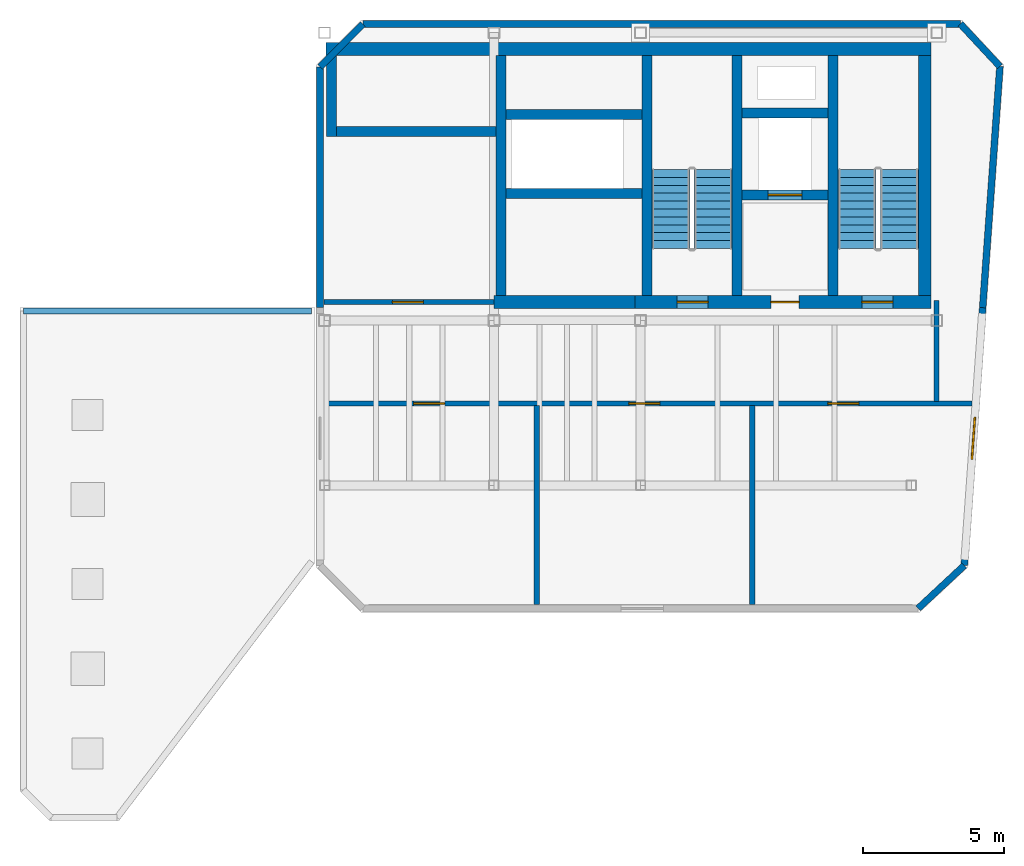
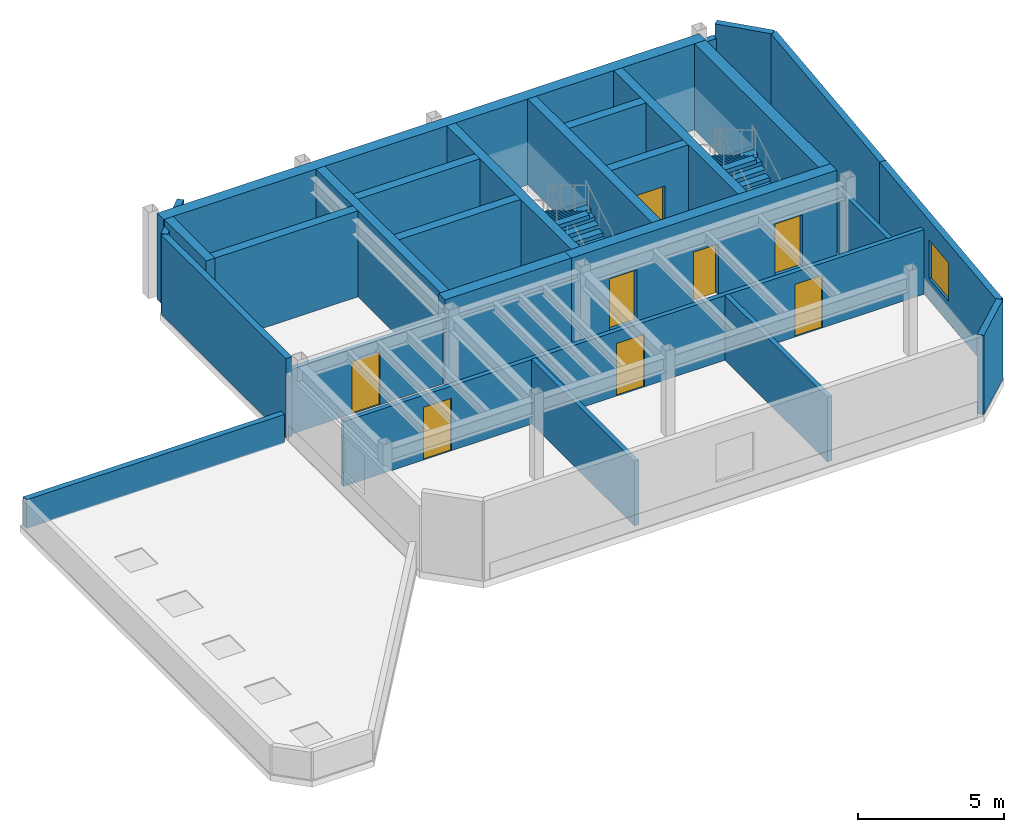
# One storey, part 2 of 4: 27 walls, 8 doors, 4 stair flights, 1 window, 9 openings, 2 elements without a shape of their own.
"""IFC4 building model written with IfcOpenShell, lengths in metres."""

from ifc_helpers import new_model, si_unit, direction, frame, frame_2d, origin, place, context, subcontext, project, spatial, polyline, rectangle, outline, extrude, material, layer, layer_set, type_object, element, fill, aggregate, save


model = new_model("IFC4")

# Units and contexts
model_context = context("Model", 3, precision=1e-05, world=origin(), true_north=direction((0.0, 1.0)))
body_context = subcontext(model_context, "Body", "Model", "MODEL_VIEW")
ifc_project = project(units=[si_unit("LENGTHUNIT", "METRE"), si_unit("AREAUNIT", "SQUARE_METRE"), si_unit("VOLUMEUNIT", "CUBIC_METRE"), si_unit("PLANEANGLEUNIT", "RADIAN"), si_unit("MASSUNIT", "GRAM", prefix="KILO")], contexts=[model_context])

# Site, building, storey
site_placement = place(None, origin())
site = spatial("IfcSite", under=ifc_project, at=site_placement, CompositionType="ELEMENT")
building_placement = place(site_placement, origin())
building = spatial("IfcBuilding", under=site, at=building_placement, Name="Kravanh Interchange Tower", CompositionType="ELEMENT")
storey_placement = place(building_placement, frame((0.0, 0.0, 315.60009765625)))
storey = spatial("IfcBuildingStorey", under=building, at=storey_placement, Name="L78", CompositionType="ELEMENT", Elevation=315.60009765625)

# Walls
ifc_material_1 = material(Name="Concrete C60/75", Category="concrete")
ifc_layer_1 = layer(ifc_material_1, 0.35009765625)
ifc_layer_set_1 = layer_set([ifc_layer_1], Name="Core Shear Wall Concrete C60/75 350mm")
wall_type_1 = type_object("IfcWallType", Name="Core Shear Wall Concrete C60/75 350mm", PredefinedType="SHEAR", material=ifc_layer_set_1)
for number, where, z_axis, x_axis, name in (
    (1, (62.824951171875, 38.22509765625, 0.0), (0.0, 0.0, 1.0), (0.0, 1.0, 0.0), "L78 Stair ST1 West Shear Wall"),
    (2, (59.425048828125, 38.22509765625, 0.0), (0.0, 0.0, 1.0), (0.0, 1.0, 0.0), "L78 Stair ST2 East Shear Wall"),
    (3, (56.22509765625, 38.22509765625, 0.0), (0.0, 0.0, 1.0), (0.0, 1.0, 0.0), "L78 Stair ST2 West Shear Wall"),
):
    element("IfcWall", number, at=place(storey_placement, frame(where, z_axis=z_axis, x_axis=x_axis)), inside=storey, type_object=wall_type_1, Name=name, PredefinedType="SHEAR", context=body_context, shape_type="SweptSolid", body=[
        extrude(rectangle(XDim=8.52490234375, YDim=0.35009765625, at=frame_2d((4.262451171875, 0.0))), origin(), (0.0, 0.0, 1.0), 3.599853515625),
    ])

# Wall, opening, door
wall_1_placement = place(storey_placement, frame((59.60009765625, 41.800048828125, 0.0), z_axis=(0.0, 0.0, 1.0), x_axis=(1.0, 0.0, 0.0)))
wall_1 = element("IfcWall", 4, at=wall_1_placement, inside=storey, type_object=wall_type_1, Name="L78 Service Lift Shaft South Wall", PredefinedType="SHEAR", context=body_context, shape_type="SweptSolid", body=[
    extrude(rectangle(XDim=3.0498046875, YDim=0.35009765625, at=frame_2d((1.52490234375, 0.0))), origin(), (0.0, 0.0, 1.0), 3.599853515625),
])
opening_1_placement = place(wall_1_placement, frame((0.919921875, 0.0, 0.0)))
opening_1 = element("IfcOpeningElement", 5, at=opening_1_placement, cuts=wall_1, Name="Opening LD02", PredefinedType="OPENING", context=body_context, shape_type="SweptSolid", body=[
    extrude(rectangle(XDim=1.199951171875, YDim=2.199951171875, at=frame_2d((0.60009765625, 1.10009765625))), frame((0.0, 0.18505859375, 0.0), z_axis=(0.0, -1.0, 0.0), x_axis=(1.0, 0.0, 0.0)), (0.0, 0.0, 1.0), 0.3701171875),
])
ifc_material_2 = material(Name="Stainless Steel 316", Category="steel")
door_type_1 = type_object("IfcDoorType", Name="Fire and Service Lift Sliding Landing Door 1200x2200", OperationType="DOUBLE_DOOR_SLIDING", PredefinedType="DOOR", material=ifc_material_2)
door_1_placement = place(opening_1_placement, origin())
door_1 = element("IfcDoor", 6, at=door_1_placement, inside=storey, type_object=door_type_1, Name="L78 Lift LS-01 Landing Door", OperationType="DOUBLE_DOOR_SLIDING", OverallHeight=2.199951171875, OverallWidth=1.199951171875, PredefinedType="DOOR", context=body_context, shape_type="SweptSolid", body=[
    extrude(rectangle(XDim=1.199951171875, YDim=2.199951171875, at=frame_2d((0.60009765625, 1.10009765625))), frame((0.0, 0.02490234375, 0.0), z_axis=(0.0, -1.0, 0.0), x_axis=(1.0, 0.0, 0.0)), (0.0, 0.0, 1.0), 0.050048828125),
])
fill(opening_1, door_1)

# Walls
wall_2_placement = place(storey_placement, frame((59.60009765625, 44.699951171875, 0.0), z_axis=(0.0, 0.0, 1.0), x_axis=(1.0, 0.0, 0.0)))
element("IfcWall", 7, at=wall_2_placement, inside=storey, type_object=wall_type_1, Name="L78 Service Lift Shaft North Wall", PredefinedType="SHEAR", context=body_context, shape_type="SweptSolid", body=[
    extrude(rectangle(XDim=3.0498046875, YDim=0.35009765625, at=frame_2d((1.52490234375, 0.0))), origin(), (0.0, 0.0, 1.0), 3.599853515625),
])
for number, where, z_axis, x_axis, name in (
    (8, (51.22509765625, 41.85009765625, 0.0), (0.0, 0.0, 1.0), (1.0, 0.0, 0.0), "L78 Fire Lift Shaft South Wall"),
    (9, (51.22509765625, 44.64990234375, 0.0), (0.0, 0.0, 1.0), (1.0, 0.0, 0.0), "L78 Fire Lift Shaft North Wall"),
):
    element("IfcWall", number, at=place(storey_placement, frame(where, z_axis=z_axis, x_axis=x_axis)), inside=storey, type_object=wall_type_1, Name=name, PredefinedType="SHEAR", context=body_context, shape_type="SweptSolid", body=[
        extrude(rectangle(XDim=4.824951171875, YDim=0.35009765625, at=frame_2d((2.41259765625, 0.0))), origin(), (0.0, 0.0, 1.0), 3.599853515625),
    ])
wall_3_placement = place(storey_placement, frame((51.050048828125, 38.22509765625, 0.0), z_axis=(0.0, 0.0, 1.0), x_axis=(0.0, 1.0, 0.0)))
element("IfcWall", 10, at=wall_3_placement, inside=storey, type_object=wall_type_1, Name="L78 Firefighting Lobby West Wall", PredefinedType="SHEAR", context=body_context, shape_type="SweptSolid", body=[
    extrude(rectangle(XDim=8.52490234375, YDim=0.35009765625, at=frame_2d((4.262451171875, 0.0))), origin(), (0.0, 0.0, 1.0), 3.599853515625),
])
wall_4_placement = place(storey_placement, frame((45.22509765625, 44.050048828125, 0.0), z_axis=(0.0, 0.0, 1.0), x_axis=(1.0, 0.0, 0.0)))
element("IfcWall", 11, at=wall_4_placement, inside=storey, type_object=wall_type_1, Name="L78 High-Rise Lift Shaft South Wall", PredefinedType="SHEAR", context=body_context, shape_type="SweptSolid", body=[
    extrude(rectangle(XDim=5.64990234375, YDim=0.35009765625, at=frame_2d((2.824951171875, 0.0))), origin(), (0.0, 0.0, 1.0), 3.599853515625),
])
wall_5_placement = place(storey_placement, frame((45.050048828125, 43.875, 0.0), z_axis=(0.0, 0.0, 1.0), x_axis=(0.0, 1.0, 0.0)))
element("IfcWall", 12, at=wall_5_placement, inside=storey, type_object=wall_type_1, Name="L78 High-Rise Lift Shaft West Wall", PredefinedType="SHEAR", context=body_context, shape_type="SweptSolid", body=[
    extrude(rectangle(XDim=2.875, YDim=0.35009765625, at=frame_2d((1.4375, 0.0))), origin(), (0.0, 0.0, 1.0), 3.599853515625),
])
ifc_material_3 = material(Name="Concrete C60/75", Category="concrete")
ifc_layer_2 = layer(ifc_material_3, 0.449951171875)
ifc_layer_set_2 = layer_set([ifc_layer_2], Name="Core Shear Wall Concrete C60/75 450mm")
wall_type_2 = type_object("IfcWallType", Name="Core Shear Wall Concrete C60/75 450mm", PredefinedType="SHEAR", material=ifc_layer_set_2)
wall_6_placement = place(storey_placement, frame((44.85009765625, 46.97509765625, 0.0), z_axis=(0.0, 0.0, 1.0), x_axis=(1.0, 0.0, 0.0)))
element("IfcWall", 13, at=wall_6_placement, inside=storey, type_object=wall_type_2, Name="L78 North Core Shear Wall", PredefinedType="SHEAR", context=body_context, shape_type="SweptSolid", body=[
    extrude(rectangle(XDim=21.449951171875, YDim=0.449951171875, at=frame_2d((10.72509765625, 0.0))), origin(), (0.0, 0.0, 1.0), 3.599853515625),
])

# Wall, openings, doors
wall_7_placement = place(storey_placement, frame((55.800048828125, 38.0, 0.0), z_axis=(0.0, 0.0, 1.0), x_axis=(1.0, 0.0, 0.0)))
wall_7 = element("IfcWall", 14, at=wall_7_placement, inside=storey, type_object=wall_type_2, Name="L78 East Core South Shear Wall", PredefinedType="SHEAR", context=body_context, shape_type="SweptSolid", body=[
    extrude(rectangle(XDim=10.5, YDim=0.449951171875, at=frame_2d((5.25, 0.0))), origin(), (0.0, 0.0, 1.0), 3.599853515625),
])
opening_2_placement = place(wall_7_placement, frame((1.5, 0.0, 0.0)))
opening_2 = element("IfcOpeningElement", 15, at=opening_2_placement, cuts=wall_7, Name="Opening D-STAIR-110", PredefinedType="OPENING", context=body_context, shape_type="SweptSolid", body=[
    extrude(rectangle(XDim=1.10009765625, YDim=2.199951171875, at=frame_2d((0.550048828125, 1.10009765625))), frame((0.0, 0.23486328125, 0.0), z_axis=(0.0, -1.0, 0.0), x_axis=(1.0, 0.0, 0.0)), (0.0, 0.0, 1.0), 0.469970703125),
])
opening_3_placement = place(wall_7_placement, frame((4.820068359375, 0.0, 0.0)))
opening_3 = element("IfcOpeningElement", 16, at=opening_3_placement, cuts=wall_7, Name="Opening D-HOTEL-100", PredefinedType="OPENING", context=body_context, shape_type="SweptSolid", body=[
    extrude(rectangle(XDim=1.0, YDim=2.14990234375, at=frame_2d((0.5, 1.074951171875))), frame((0.0, 0.23486328125, 0.0), z_axis=(0.0, -1.0, 0.0), x_axis=(1.0, 0.0, 0.0)), (0.0, 0.0, 1.0), 0.469970703125),
])
opening_4_placement = place(wall_7_placement, frame((8.050048828125, 0.0, 0.0)))
opening_4 = element("IfcOpeningElement", 17, at=opening_4_placement, cuts=wall_7, Name="Opening D-STAIR-110", PredefinedType="OPENING", context=body_context, shape_type="SweptSolid", body=[
    extrude(rectangle(XDim=1.10009765625, YDim=2.199951171875, at=frame_2d((0.550048828125, 1.10009765625))), frame((0.0, 0.23486328125, 0.0), z_axis=(0.0, -1.0, 0.0), x_axis=(1.0, 0.0, 0.0)), (0.0, 0.0, 1.0), 0.469970703125),
])
ifc_material_4 = material(Name="Structural Steel S355", Category="steel")
door_type_2 = type_object("IfcDoorType", Name="Fire-Rated Exit Stair Door 1100x2200", OperationType="NOTDEFINED", PredefinedType="DOOR", material=ifc_material_4)
door_2_placement = place(opening_2_placement, origin())
door_2 = element("IfcDoor", 18, at=door_2_placement, inside=storey, type_object=door_type_2, Name="L78 Exit Stair ST2 Door", OperationType="SINGLE_SWING_RIGHT", OverallHeight=2.199951171875, OverallWidth=1.10009765625, PredefinedType="DOOR", context=body_context, shape_type="SweptSolid", body=[
    extrude(rectangle(XDim=1.10009765625, YDim=2.199951171875, at=frame_2d((0.550048828125, 1.10009765625))), frame((0.0, 0.02490234375, 0.0), z_axis=(0.0, -1.0, 0.0), x_axis=(1.0, 0.0, 0.0)), (0.0, 0.0, 1.0), 0.050048828125),
])
fill(opening_2, door_2)
door_3_placement = place(opening_4_placement, origin())
door_3 = element("IfcDoor", 19, at=door_3_placement, inside=storey, type_object=door_type_2, Name="L78 Exit Stair ST1 Door", OperationType="SINGLE_SWING_RIGHT", OverallHeight=2.199951171875, OverallWidth=1.10009765625, PredefinedType="DOOR", context=body_context, shape_type="SweptSolid", body=[
    extrude(rectangle(XDim=1.10009765625, YDim=2.199951171875, at=frame_2d((0.550048828125, 1.10009765625))), frame((0.0, 0.02490234375, 0.0), z_axis=(0.0, -1.0, 0.0), x_axis=(1.0, 0.0, 0.0)), (0.0, 0.0, 1.0), 0.050048828125),
])
fill(opening_4, door_3)
ifc_material_5 = material(Name="Fire-Rated Solid Timber Leaf", Category="wood")
door_type_3 = type_object("IfcDoorType", Name="Fire-Rated Suite Entrance Door 1000x2150", OperationType="NOTDEFINED", PredefinedType="DOOR", material=ifc_material_5)
door_4_placement = place(opening_3_placement, origin())
door_4 = element("IfcDoor", 20, at=door_4_placement, inside=storey, type_object=door_type_3, Name="L78 Service Lift Lobby Door", OperationType="SINGLE_SWING_RIGHT", OverallHeight=2.14990234375, OverallWidth=1.0, PredefinedType="DOOR", context=body_context, shape_type="SweptSolid", body=[
    extrude(rectangle(XDim=1.0, YDim=2.14990234375, at=frame_2d((0.5, 1.074951171875))), frame((0.0, 0.02490234375, 0.0), z_axis=(0.0, -1.0, 0.0), x_axis=(1.0, 0.0, 0.0)), (0.0, 0.0, 1.0), 0.050048828125),
])
fill(opening_3, door_4)

# Walls
wall_8_placement = place(storey_placement, frame((66.074951171875, 38.22509765625, 0.0), z_axis=(0.0, 0.0, 1.0), x_axis=(0.0, 1.0, 0.0)))
element("IfcWall", 21, at=wall_8_placement, inside=storey, type_object=wall_type_2, Name="L78 Stair ST1 East Shear Wall", PredefinedType="SHEAR", context=body_context, shape_type="SweptSolid", body=[
    extrude(rectangle(XDim=8.52490234375, YDim=0.449951171875, at=frame_2d((4.262451171875, 0.0))), origin(), (0.0, 0.0, 1.0), 3.599853515625),
])
wall_9_placement = place(storey_placement, frame((50.800048828125, 38.0, 0.0), z_axis=(0.0, 0.0, 1.0), x_axis=(1.0, 0.0, 0.0)))
element("IfcWall", 22, at=wall_9_placement, inside=storey, type_object=wall_type_2, Name="L78 Firefighting Lobby South Shear Wall", PredefinedType="SHEAR", context=body_context, shape_type="SweptSolid", body=[
    extrude(rectangle(XDim=5.0, YDim=0.449951171875, at=frame_2d((2.5, 0.0))), origin(), (0.0, 0.0, 1.0), 3.599853515625),
])
ifc_material_6 = material(Name="Insulated Concrete C40/50 with Bronze Rainscreen", Category="concrete")
ifc_layer_3 = layer(ifc_material_6, 0.239990234375)
ifc_layer_set_3 = layer_set([ifc_layer_3], Name="Exterior Insulated Concrete C40/50 Crown Enclosure Wall 240mm")
wall_type_3 = type_object("IfcWallType", Name="Exterior Insulated Concrete C40/50 Crown Enclosure Wall 240mm", PredefinedType="STANDARD", material=ifc_layer_set_3)
wall_10_placement = place(storey_placement, frame((44.639892578125, 37.800048828125, 0.0), z_axis=(0.0, 0.0, 1.0), x_axis=(0.0, 1.0, 0.0)))
element("IfcWall", 23, at=wall_10_placement, inside=storey, type_object=wall_type_3, Name="L78 Exterior Enclosure Wall 2", PredefinedType="STANDARD", context=body_context, shape_type="SweptSolid", body=[
    extrude(rectangle(XDim=8.5419921875, YDim=0.239990234375, at=frame_2d((4.27099609375, 0.0))), origin(), (0.0, 0.0, 1.0), 3.31982421875),
])
wall_11_placement = place(storey_placement, frame((44.639892578125, 46.342041015625, 0.0), z_axis=(0.0, 0.0, 1.0), x_axis=(0.707106781187, 0.707106781187, 0.0)))
element("IfcWall", 24, at=wall_11_placement, inside=storey, type_object=wall_type_3, Name="L78 Exterior Enclosure Wall 3", PredefinedType="STANDARD", context=body_context, shape_type="SweptSolid", body=[
    extrude(rectangle(XDim=2.14697265625, YDim=0.239990234375, at=frame_2d((1.073486328125, 0.0))), origin(), (0.0, 0.0, 1.0), 3.31982421875),
])
wall_12_placement = place(storey_placement, frame((46.157958984375, 47.860107421875, 0.0), z_axis=(0.0, 0.0, 1.0), x_axis=(1.0, 0.0, 0.0)))
element("IfcWall", 25, at=wall_12_placement, inside=storey, type_object=wall_type_3, Name="L78 Exterior Enclosure Wall 4", PredefinedType="STANDARD", context=body_context, shape_type="SweptSolid", body=[
    extrude(rectangle(XDim=21.18115234375, YDim=0.239990234375, at=frame_2d((10.590576171875, 0.0))), origin(), (0.0, 0.0, 1.0), 2.708984375),
])
wall_13_placement = place(storey_placement, frame((67.339111328125, 47.860107421875, 0.0), z_axis=(0.0, 0.0, 1.0), x_axis=(0.681396623146, -0.731914367918, 0.0)))
element("IfcWall", 26, at=wall_13_placement, inside=storey, type_object=wall_type_3, Name="L78 Exterior Enclosure Wall 5", PredefinedType="STANDARD", context=body_context, shape_type="SweptSolid", body=[
    extrude(rectangle(XDim=2.058837890625, YDim=0.239990234375, at=frame_2d((1.029296875, 0.0))), origin(), (0.0, 0.0, 1.0), 3.31982421875),
])
wall_14_placement = place(storey_placement, frame((68.741943359375, 46.353271484375, 0.0), z_axis=(0.0, 0.0, 1.0), x_axis=(-0.071234909984, -0.9974595669, 0.0)))
element("IfcWall", 27, at=wall_14_placement, inside=storey, type_object=wall_type_3, Name="L78 Exterior Enclosure Wall 6", PredefinedType="STANDARD", context=body_context, shape_type="SweptSolid", body=[
    extrude(rectangle(XDim=8.574951171875, YDim=0.239990234375, at=frame_2d((4.28759765625, 0.0))), origin(), (0.0, 0.0, 1.0), 3.31982421875),
])

# Wall, opening, window
wall_15_placement = place(storey_placement, frame((68.131103515625, 37.800048828125, 0.0), z_axis=(0.0, 0.0, 1.0), x_axis=(-0.071250837206, -0.997458429308, 0.0)))
wall_15 = element("IfcWall", 28, at=wall_15_placement, inside=storey, type_object=wall_type_3, Name="L78 Exterior Enclosure Wall 7", PredefinedType="STANDARD", context=body_context, shape_type="SweptSolid", body=[
    extrude(rectangle(XDim=9.162353515625, YDim=0.239990234375, at=frame_2d((4.5810546875, 0.0))), origin(), (0.0, 0.0, 1.0), 3.31982421875),
])
opening_5_placement = place(wall_15_placement, frame((3.891845703125, 0.0, 0.89990234375)))
opening_5 = element("IfcOpeningElement", 29, at=opening_5_placement, cuts=wall_15, Name="Opening WN-150X160", PredefinedType="OPENING", context=body_context, shape_type="SweptSolid", body=[
    extrude(rectangle(XDim=1.5, YDim=1.60009765625, at=frame_2d((0.75, 0.800048828125))), frame((0.0, 0.1298828125, 0.0), z_axis=(0.0, -1.0, 0.0), x_axis=(1.0, 0.0, 0.0)), (0.0, 0.0, 1.0), 0.260009765625),
])
ifc_material_7 = material(Name="Thermally Broken Bronze Aluminium and Low-E Glass", Category="aluminium")
window_type = type_object("IfcWindowType", Name="Crown Clerestory Window 1500x1600", PartitioningType="SINGLE_PANEL", PredefinedType="WINDOW", material=ifc_material_7)
window_placement = place(opening_5_placement, origin())
window = element("IfcWindow", 30, at=window_placement, inside=storey, type_object=window_type, Name="L78 Crown Clerestory Window 7", OverallHeight=1.60009765625, OverallWidth=1.5, PartitioningType="SINGLE_PANEL", PredefinedType="WINDOW", context=body_context, shape_type="SweptSolid", body=[
    extrude(rectangle(XDim=1.5, YDim=1.60009765625, at=frame_2d((0.75, 0.800048828125))), frame((0.0, 0.030029296875, 0.0), z_axis=(0.0, -1.0, 0.0), x_axis=(1.0, 0.0, 0.0)), (0.0, 0.0, 1.0), 0.06005859375),
])
fill(opening_5, window)

# Wall
wall_16_placement = place(storey_placement, frame((67.478271484375, 28.660888671875, 0.0), z_axis=(0.0, 0.0, 1.0), x_axis=(-0.731818720836, -0.681499346907, 0.0)))
element("IfcWall", 31, at=wall_16_placement, inside=storey, type_object=wall_type_3, Name="L78 Exterior Enclosure Wall 8", PredefinedType="STANDARD", context=body_context, shape_type="SweptSolid", body=[
    extrude(rectangle(XDim=2.23193359375, YDim=0.239990234375, at=frame_2d((1.115966796875, 0.0))), origin(), (0.0, 0.0, 1.0), 3.31982421875),
])

# Wall, opening, door
ifc_material_8 = material(Name="Autoclaved Aerated Concrete C30/37 Blockwork", Category="masonry")
ifc_layer_4 = layer(ifc_material_8, 0.179931640625)
ifc_layer_set_4 = layer_set([ifc_layer_4], Name="Fire-Rated Lobby and Corridor Wall Concrete C30/37 180mm")
wall_type_4 = type_object("IfcWallType", Name="Fire-Rated Lobby and Corridor Wall Concrete C30/37 180mm", PredefinedType="STANDARD", material=ifc_layer_set_4)
wall_17_placement = place(storey_placement, frame((44.784912109375, 38.0, 0.0), z_axis=(0.0, 0.0, 1.0), x_axis=(1.0, 0.0, 0.0)))
wall_17 = element("IfcWall", 32, at=wall_17_placement, inside=storey, type_object=wall_type_4, Name="L78 Overrun Plant Wall 1", PredefinedType="STANDARD", context=body_context, shape_type="SweptSolid", body=[
    extrude(rectangle(XDim=6.01513671875, YDim=0.179931640625, at=frame_2d((3.007568359375, 0.0))), origin(), (0.0, 0.0, 1.0), 2.708984375),
])
opening_6_placement = place(wall_17_placement, frame((2.4150390625, 0.0, 0.0)))
opening_6 = element("IfcOpeningElement", 33, at=opening_6_placement, cuts=wall_17, Name="Opening D-STAIR-110", PredefinedType="OPENING", context=body_context, shape_type="SweptSolid", body=[
    extrude(rectangle(XDim=1.10009765625, YDim=2.199951171875, at=frame_2d((0.550048828125, 1.10009765625))), frame((0.0, 0.10009765625, 0.0), z_axis=(0.0, -1.0, 0.0), x_axis=(1.0, 0.0, 0.0)), (0.0, 0.0, 1.0), 0.199951171875),
])
door_5_placement = place(opening_6_placement, origin())
door_5 = element("IfcDoor", 34, at=door_5_placement, inside=storey, type_object=door_type_2, Name="L78 Overrun Plant Door", OperationType="SINGLE_SWING_LEFT", OverallHeight=2.199951171875, OverallWidth=1.10009765625, PredefinedType="DOOR", context=body_context, shape_type="SweptSolid", body=[
    extrude(rectangle(XDim=1.10009765625, YDim=2.199951171875, at=frame_2d((0.550048828125, 1.10009765625))), frame((0.0, 0.02490234375, 0.0), z_axis=(0.0, -1.0, 0.0), x_axis=(1.0, 0.0, 0.0)), (0.0, 0.0, 1.0), 0.050048828125),
])
fill(opening_6, door_5)

# Wall, openings, doors
wall_18_placement = place(storey_placement, frame((44.784912109375, 34.39990234375, 0.0), z_axis=(0.0, 0.0, 1.0), x_axis=(1.0, 0.0, 0.0)))
wall_18 = element("IfcWall", 35, at=wall_18_placement, inside=storey, type_object=wall_type_4, Name="L78 Interior Partition 2", PredefinedType="STANDARD", context=body_context, shape_type="SweptSolid", body=[
    extrude(rectangle(XDim=22.9580078125, YDim=0.179931640625, at=frame_2d((11.47900390625, 0.0))), origin(), (0.0, 0.0, 1.0), 2.708984375),
])
opening_7_placement = place(wall_18_placement, frame((3.169921875, 0.0, 0.0)))
opening_7 = element("IfcOpeningElement", 36, at=opening_7_placement, cuts=wall_18, Name="Opening D-STAIR-110", PredefinedType="OPENING", context=body_context, shape_type="SweptSolid", body=[
    extrude(rectangle(XDim=1.10009765625, YDim=2.199951171875, at=frame_2d((0.550048828125, 1.10009765625))), frame((0.0, 0.10009765625, 0.0), z_axis=(0.0, -1.0, 0.0), x_axis=(1.0, 0.0, 0.0)), (0.0, 0.0, 1.0), 0.199951171875),
])
opening_8_placement = place(wall_18_placement, frame((10.804931640625, 0.0, 0.0)))
opening_8 = element("IfcOpeningElement", 37, at=opening_8_placement, cuts=wall_18, Name="Opening D-STAIR-110", PredefinedType="OPENING", context=body_context, shape_type="SweptSolid", body=[
    extrude(rectangle(XDim=1.10009765625, YDim=2.199951171875, at=frame_2d((0.550048828125, 1.10009765625))), frame((0.0, 0.10009765625, 0.0), z_axis=(0.0, -1.0, 0.0), x_axis=(1.0, 0.0, 0.0)), (0.0, 0.0, 1.0), 0.199951171875),
])
opening_9_placement = place(wall_18_placement, frame((17.854736328125, 0.0, 0.0)))
opening_9 = element("IfcOpeningElement", 38, at=opening_9_placement, cuts=wall_18, Name="Opening D-STAIR-110", PredefinedType="OPENING", context=body_context, shape_type="SweptSolid", body=[
    extrude(rectangle(XDim=1.10009765625, YDim=2.199951171875, at=frame_2d((0.550048828125, 1.10009765625))), frame((0.0, 0.10009765625, 0.0), z_axis=(0.0, -1.0, 0.0), x_axis=(1.0, 0.0, 0.0)), (0.0, 0.0, 1.0), 0.199951171875),
])
door_6_placement = place(opening_7_placement, origin())
door_6 = element("IfcDoor", 39, at=door_6_placement, inside=storey, type_object=door_type_2, Name="L78 Plant Room 1 Door", OperationType="SINGLE_SWING_RIGHT", OverallHeight=2.199951171875, OverallWidth=1.10009765625, PredefinedType="DOOR", context=body_context, shape_type="SweptSolid", body=[
    extrude(rectangle(XDim=1.10009765625, YDim=2.199951171875, at=frame_2d((0.550048828125, 1.10009765625))), frame((0.0, 0.02490234375, 0.0), z_axis=(0.0, -1.0, 0.0), x_axis=(1.0, 0.0, 0.0)), (0.0, 0.0, 1.0), 0.050048828125),
])
fill(opening_7, door_6)
door_7_placement = place(opening_8_placement, origin())
door_7 = element("IfcDoor", 40, at=door_7_placement, inside=storey, type_object=door_type_2, Name="L78 Plant Room 2 Door", OperationType="SINGLE_SWING_LEFT", OverallHeight=2.199951171875, OverallWidth=1.10009765625, PredefinedType="DOOR", context=body_context, shape_type="SweptSolid", body=[
    extrude(rectangle(XDim=1.10009765625, YDim=2.199951171875, at=frame_2d((0.550048828125, 1.10009765625))), frame((0.0, 0.02490234375, 0.0), z_axis=(0.0, -1.0, 0.0), x_axis=(1.0, 0.0, 0.0)), (0.0, 0.0, 1.0), 0.050048828125),
])
fill(opening_8, door_7)
door_8_placement = place(opening_9_placement, origin())
door_8 = element("IfcDoor", 41, at=door_8_placement, inside=storey, type_object=door_type_2, Name="L78 Plant Room 3 Door", OperationType="SINGLE_SWING_RIGHT", OverallHeight=2.199951171875, OverallWidth=1.10009765625, PredefinedType="DOOR", context=body_context, shape_type="SweptSolid", body=[
    extrude(rectangle(XDim=1.10009765625, YDim=2.199951171875, at=frame_2d((0.550048828125, 1.10009765625))), frame((0.0, 0.02490234375, 0.0), z_axis=(0.0, -1.0, 0.0), x_axis=(1.0, 0.0, 0.0)), (0.0, 0.0, 1.0), 0.050048828125),
])
fill(opening_9, door_8)

# Walls
wall_19_placement = place(storey_placement, frame((66.5, 34.468017578125, 0.0), z_axis=(0.0, 0.0, 1.0), x_axis=(0.0, 1.0, 0.0)))
element("IfcWall", 42, at=wall_19_placement, inside=storey, type_object=wall_type_4, Name="L78 Interior Partition 3", PredefinedType="STANDARD", context=body_context, shape_type="SweptSolid", body=[
    extrude(rectangle(XDim=3.58203125, YDim=0.179931640625, at=frame_2d((1.791015625, 0.0))), origin(), (0.0, 0.0, 1.0), 2.708984375),
])
for number, where, z_axis, x_axis, name in (
    (43, (52.320068359375, 27.284912109375, 0.0), (0.0, 0.0, 1.0), (0.0, 1.0, 0.0), "L78 Interior Partition 4"),
    (44, (59.9599609375, 27.284912109375, 0.0), (0.0, 0.0, 1.0), (0.0, 1.0, 0.0), "L78 Interior Partition 5"),
):
    element("IfcWall", number, at=place(storey_placement, frame(where, z_axis=z_axis, x_axis=x_axis)), inside=storey, type_object=wall_type_4, Name=name, PredefinedType="STANDARD", context=body_context, shape_type="SweptSolid", body=[
        extrude(rectangle(XDim=7.047119140625, YDim=0.179931640625, at=frame_2d((3.5234375, 0.0))), origin(), (0.0, 0.0, 1.0), 2.708984375),
    ])
ifc_material_9 = material(Name="Concrete C40/50", Category="concrete")
ifc_layer_5 = layer(ifc_material_9, 0.219970703125)
ifc_layer_set_5 = layer_set([ifc_layer_5], Name="Roof Parapet Upstand Wall Concrete C40/50 220mm")
wall_type_5 = type_object("IfcWallType", Name="Roof Parapet Upstand Wall Concrete C40/50 220mm", PredefinedType="PARAPET", material=ifc_layer_set_5)
wall_20_placement = place(storey_placement, frame((34.1201171875, 37.679931640625, 0.0), z_axis=(0.0, 0.0, 1.0), x_axis=(1.0, 0.0, 0.0)))
element("IfcWall", 45, at=wall_20_placement, inside=storey, type_object=wall_type_5, Name="L78 Stepped Roof Parapet 1-3", PredefinedType="PARAPET", context=body_context, shape_type="SweptSolid", body=[
    extrude(rectangle(XDim=10.219970703125, YDim=0.219970703125, at=frame_2d((5.10986328125, 0.0))), origin(), (0.0, 0.0, 1.0), 1.199951171875),
])

# Stair, stair flights
ifc_material_10 = material(Name="Concrete C50/60", Category="concrete")
stair_type = type_object("IfcStairType", Name="Core Fire Exit Dogleg Stair Concrete C50/60", PredefinedType="HALF_TURN_STAIR", material=ifc_material_10)
stair_1_placement = place(storey_placement, origin())
stair_1 = element("IfcStair", 46, at=stair_1_placement, inside=storey, type_object=stair_type, Name="L78 Exit Stair ST1", PredefinedType="HALF_TURN_STAIR")
ifc_material_11 = material(Name="Precast Concrete C50/60", Category="concrete")
ifc_layer_6 = layer(ifc_material_11, 0.199951171875)
ifc_layer_set_6 = layer_set([ifc_layer_6], Name="Precast Concrete C50/60 Stair Flight 1350mm")
stair_flight_type = type_object("IfcStairFlightType", Name="Precast Concrete C50/60 Stair Flight 1350mm", PredefinedType="STRAIGHT", material=ifc_layer_set_6)
stair_flight_1_placement = place(storey_placement, frame((65.175048828125, 39.89990234375, 0.0), z_axis=(0.0, 0.0, 1.0), x_axis=(0.0, 1.0, 0.0)))
stair_flight_1 = element("IfcStairFlight", 47, at=stair_flight_1_placement, type_object=stair_flight_type, Name="ST1 flight 1", NumberOfRisers=11, NumberOfTreads=10, PredefinedType="STRAIGHT", RiserHeight=0.163636364, TreadLength=0.28, context=body_context, shape_type="SweptSolid", body=[
    extrude(outline(polyline([(0.0, 0.0), (0.0, 0.16357421875), (0.280029296875, 0.16357421875), (0.280029296875, 0.327392578125), (0.56005859375, 0.327392578125), (0.56005859375, 0.490966796875), (0.840087890625, 0.490966796875), (0.840087890625, 0.654541015625), (1.1201171875, 0.654541015625), (1.1201171875, 0.818115234375), (1.39990234375, 0.818115234375), (1.39990234375, 0.98193359375), (1.679931640625, 0.98193359375), (1.679931640625, 1.1455078125), (1.9599609375, 1.1455078125), (1.9599609375, 1.30908203125), (2.239990234375, 1.30908203125), (2.239990234375, 1.47265625), (2.52001953125, 1.47265625), (2.52001953125, 1.636474609375), (2.800048828125, 1.636474609375), (2.800048828125, 1.800048828125), (2.800048828125, 1.462646484375), (0.297119140625, 0.0), (0.0, 0.0)])), frame((0.0, 0.675048828125, 0.0), z_axis=(0.0, -1.0, 0.0), x_axis=(1.0, 0.0, 0.0)), (0.0, 0.0, 1.0), 1.35009765625),
])
stair_flight_2_placement = place(storey_placement, frame((63.675048828125, 42.699951171875, 1.7998046875), z_axis=(0.0, 0.0, 1.0), x_axis=(0.0, -1.0, 0.0)))
stair_flight_2 = element("IfcStairFlight", 48, at=stair_flight_2_placement, type_object=stair_flight_type, Name="ST1 flight 2", NumberOfRisers=11, NumberOfTreads=10, PredefinedType="STRAIGHT", RiserHeight=0.163636364, TreadLength=0.28, context=body_context, shape_type="SweptSolid", body=[
    extrude(outline(polyline([(0.0, 0.0), (0.0, 0.16357421875), (0.280029296875, 0.16357421875), (0.280029296875, 0.327392578125), (0.56005859375, 0.327392578125), (0.56005859375, 0.490966796875), (0.840087890625, 0.490966796875), (0.840087890625, 0.654541015625), (1.1201171875, 0.654541015625), (1.1201171875, 0.818115234375), (1.39990234375, 0.818115234375), (1.39990234375, 0.98193359375), (1.679931640625, 0.98193359375), (1.679931640625, 1.1455078125), (1.9599609375, 1.1455078125), (1.9599609375, 1.30908203125), (2.239990234375, 1.30908203125), (2.239990234375, 1.47265625), (2.52001953125, 1.47265625), (2.52001953125, 1.636474609375), (2.800048828125, 1.636474609375), (2.800048828125, 1.800048828125), (2.800048828125, 1.462646484375), (0.297119140625, 0.0), (0.0, 0.0)])), frame((0.0, 0.675048828125, 0.0), z_axis=(0.0, -1.0, 0.0), x_axis=(1.0, 0.0, 0.0)), (0.0, 0.0, 1.0), 1.35009765625),
])
aggregate(stair_1, [stair_flight_1, stair_flight_2])

stair_2_placement = place(storey_placement, origin())
stair_2 = element("IfcStair", 49, at=stair_2_placement, inside=storey, type_object=stair_type, Name="L78 Exit Stair ST2", PredefinedType="HALF_TURN_STAIR")
stair_flight_3_placement = place(storey_placement, frame((58.574951171875, 39.89990234375, 0.0), z_axis=(0.0, 0.0, 1.0), x_axis=(0.0, 1.0, 0.0)))
stair_flight_3 = element("IfcStairFlight", 50, at=stair_flight_3_placement, type_object=stair_flight_type, Name="ST2 flight 1", NumberOfRisers=11, NumberOfTreads=10, PredefinedType="STRAIGHT", RiserHeight=0.163636364, TreadLength=0.28, context=body_context, shape_type="SweptSolid", body=[
    extrude(outline(polyline([(0.0, 0.0), (0.0, 0.16357421875), (0.280029296875, 0.16357421875), (0.280029296875, 0.327392578125), (0.56005859375, 0.327392578125), (0.56005859375, 0.490966796875), (0.840087890625, 0.490966796875), (0.840087890625, 0.654541015625), (1.1201171875, 0.654541015625), (1.1201171875, 0.818115234375), (1.39990234375, 0.818115234375), (1.39990234375, 0.98193359375), (1.679931640625, 0.98193359375), (1.679931640625, 1.1455078125), (1.9599609375, 1.1455078125), (1.9599609375, 1.30908203125), (2.239990234375, 1.30908203125), (2.239990234375, 1.47265625), (2.52001953125, 1.47265625), (2.52001953125, 1.636474609375), (2.800048828125, 1.636474609375), (2.800048828125, 1.800048828125), (2.800048828125, 1.462646484375), (0.297119140625, 0.0), (0.0, 0.0)])), frame((0.0, 0.675048828125, 0.0), z_axis=(0.0, -1.0, 0.0), x_axis=(1.0, 0.0, 0.0)), (0.0, 0.0, 1.0), 1.35009765625),
])
stair_flight_4_placement = place(storey_placement, frame((57.074951171875, 42.699951171875, 1.7998046875), z_axis=(0.0, 0.0, 1.0), x_axis=(0.0, -1.0, 0.0)))
stair_flight_4 = element("IfcStairFlight", 51, at=stair_flight_4_placement, type_object=stair_flight_type, Name="ST2 flight 2", NumberOfRisers=11, NumberOfTreads=10, PredefinedType="STRAIGHT", RiserHeight=0.163636364, TreadLength=0.28, context=body_context, shape_type="SweptSolid", body=[
    extrude(outline(polyline([(0.0, 0.0), (0.0, 0.16357421875), (0.280029296875, 0.16357421875), (0.280029296875, 0.327392578125), (0.56005859375, 0.327392578125), (0.56005859375, 0.490966796875), (0.840087890625, 0.490966796875), (0.840087890625, 0.654541015625), (1.1201171875, 0.654541015625), (1.1201171875, 0.818115234375), (1.39990234375, 0.818115234375), (1.39990234375, 0.98193359375), (1.679931640625, 0.98193359375), (1.679931640625, 1.1455078125), (1.9599609375, 1.1455078125), (1.9599609375, 1.30908203125), (2.239990234375, 1.30908203125), (2.239990234375, 1.47265625), (2.52001953125, 1.47265625), (2.52001953125, 1.636474609375), (2.800048828125, 1.636474609375), (2.800048828125, 1.800048828125), (2.800048828125, 1.462646484375), (0.297119140625, 0.0), (0.0, 0.0)])), frame((0.0, 0.675048828125, 0.0), z_axis=(0.0, -1.0, 0.0), x_axis=(1.0, 0.0, 0.0)), (0.0, 0.0, 1.0), 1.35009765625),
])
aggregate(stair_2, [stair_flight_3, stair_flight_4])

save(model, "model.ifc")
